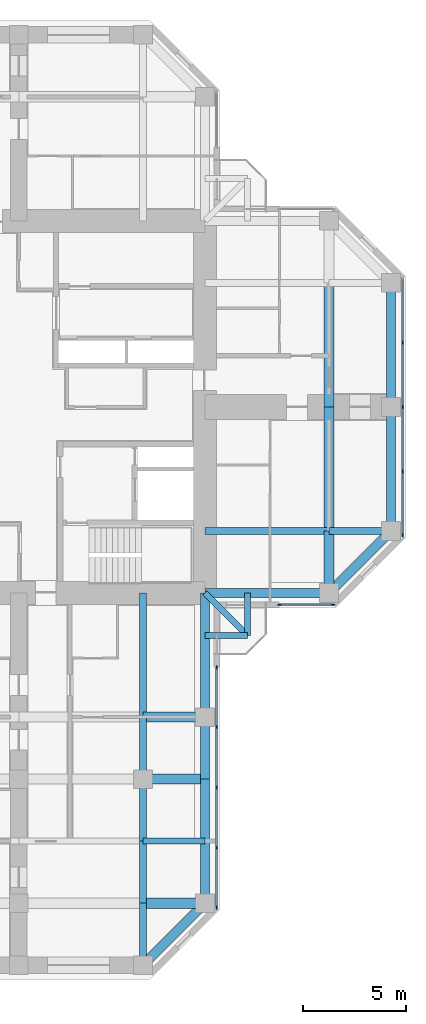
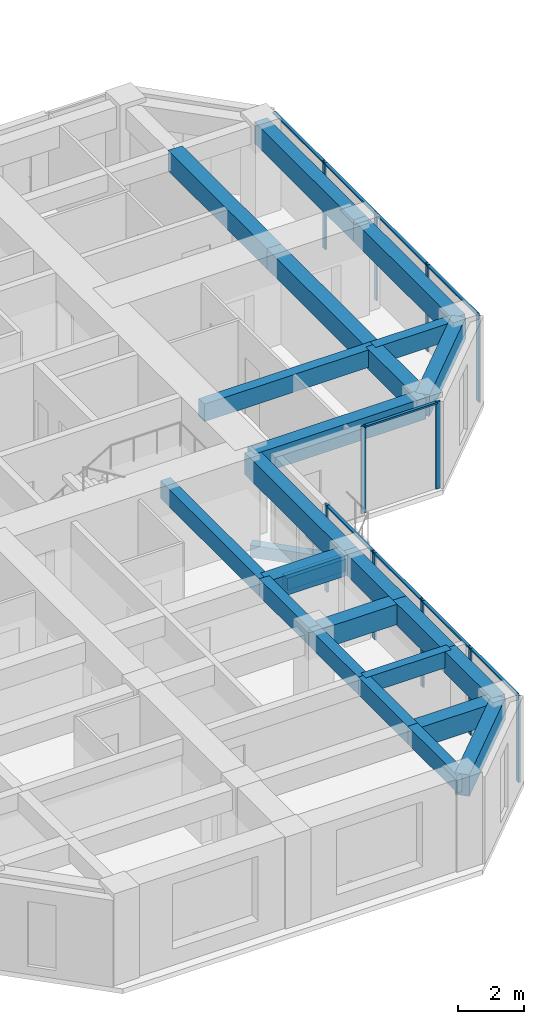
# One storey, part 4 of 14: 26 beams, 20 members, 3 elements without a shape of their own.
"""IFC4 building model written with IfcOpenShell, lengths in metres."""

import ifcopenshell
import ifcopenshell.guid

model = None  # the IFC model being written
_history = None  # IfcOwnerHistory: only IFC2X3 demands one
_inside = {}  # id of a spatial element -> (the spatial element, [elements in it])
_under = {}  # id of a project, library or spatial element -> (it, [spatial elements below it])
_declared = {}  # id of a project -> (the project, [libraries it declares])
_typed = {}  # id of a type object -> (the type object, [elements of that type])
_made_of = {}  # id of a material, layer set ... -> (it, [elements and type objects made of it])


def new_model(schema):
    """Start an empty IFC model of exactly this schema.

    Asked for "IFC4X3", IfcOpenShell would pick the latest addendum, in which some entities
    have other attributes; the version numbers below select the first issue.
    IFC2X3 requires an IfcOwnerHistory on every rooted entity: one is made here for all.
    """
    global model, _history
    if schema == "IFC4X3":
        model = ifcopenshell.file(schema_version=(4, 3, 0, 0))
    else:
        model = ifcopenshell.file(schema=schema)
    _inside.clear()
    _under.clear()
    _declared.clear()
    _typed.clear()
    _made_of.clear()
    _history = None
    if model.schema == "IFC2X3":
        org = make("IfcOrganization", Name="unknown")
        user = make(
            "IfcPersonAndOrganization",
            ThePerson=make("IfcPerson", FamilyName="unknown"),
            TheOrganization=org,
        )
        app = make(
            "IfcApplication",
            ApplicationDeveloper=org,
            Version="unknown",
            ApplicationFullName="unknown",
            ApplicationIdentifier="unknown",
        )
        _history = make(
            "IfcOwnerHistory",
            OwningUser=user,
            OwningApplication=app,
            ChangeAction="ADDED",
            CreationDate=0,
        )
    return model


def make(cls, **values):
    """One entity of the class cls with the attributes given. An attribute that is None is left unset."""
    return model.create_entity(
        cls, **{name: value for name, value in values.items() if value is not None}
    )


def rooted(cls, **values):
    """An entity with a GlobalId (a new one), such as an element, a storey or a relation."""
    return make(cls, GlobalId=ifcopenshell.guid.new(), OwnerHistory=_history, **values)


def si_unit(unit_type, name, prefix=None):
    """IfcSIUnit, for example si_unit("LENGTHUNIT", "METRE", prefix="MILLI")."""
    return make("IfcSIUnit", UnitType=unit_type, Prefix=prefix, Name=name)


def assignment(units):
    """IfcUnitAssignment: the units of a project."""
    return None if units is None else make("IfcUnitAssignment", Units=units)


def point(xyz):
    """IfcCartesianPoint."""
    return None if xyz is None else make("IfcCartesianPoint", Coordinates=xyz)


def direction(xyz):
    """IfcDirection."""
    return None if xyz is None else make("IfcDirection", DirectionRatios=xyz)


def frame(location, z_axis=None, x_axis=None):
    """IfcAxis2Placement3D, a coordinate frame: its origin and axes. An axis left out is left unset."""
    return make(
        "IfcAxis2Placement3D",
        Location=point(location),
        Axis=direction(z_axis),
        RefDirection=direction(x_axis),
    )


def frame_2d(location, x_axis=None):
    """IfcAxis2Placement2D, a coordinate frame in the plane: its origin and x axis."""
    return make(
        "IfcAxis2Placement2D", Location=point(location), RefDirection=direction(x_axis)
    )


def origin():
    """The frame at (0, 0, 0) with its axes left unset."""
    return frame((0.0, 0.0, 0.0))


def origin_2d():
    """The frame at (0, 0) in the plane with its x axis left unset."""
    return frame_2d((0.0, 0.0))


def place(relative_to, where):
    """IfcLocalPlacement: puts the frame where relative to a parent placement (None: the world)."""
    return make(
        "IfcLocalPlacement", PlacementRelTo=relative_to, RelativePlacement=where
    )


def context(
    kind, dimensions, precision=None, world=None, true_north=None, identifier=None
):
    """IfcGeometricRepresentationContext, for example the 3D "Model" context."""
    return make(
        "IfcGeometricRepresentationContext",
        ContextIdentifier=identifier,
        ContextType=kind,
        CoordinateSpaceDimension=dimensions,
        Precision=precision,
        WorldCoordinateSystem=world,
        TrueNorth=true_north,
    )


def subcontext(parent, identifier, kind, view, scale=None):
    """IfcGeometricRepresentationSubContext, for example "Body" below "Model"."""
    return make(
        "IfcGeometricRepresentationSubContext",
        ContextIdentifier=identifier,
        ContextType=kind,
        ParentContext=parent,
        TargetScale=scale,
        TargetView=view,
    )


def project(units=None, contexts=None):
    """IfcProject with its units and contexts."""
    return rooted(
        "IfcProject",
        Name="project",
        RepresentationContexts=contexts,
        UnitsInContext=assignment(units),
    )


def spatial(cls, under=None, at=None, **own):
    """A site, building, storey or space (cls), placed at a placement, below another one or the project."""
    s = rooted(cls, ObjectPlacement=at, **own)
    if under is not None:
        _under.setdefault(under.id(), (under, []))[1].append(s)
    return s


def profile(cls, at=None, kind="AREA", **sizes):
    """A parametric profile (cls). Its sizes go by their IFC names, for example OverallWidth=200.0."""
    return make(cls, ProfileType=kind, Position=at, **sizes)


def rectangle(**sizes):
    """IfcRectangleProfileDef."""
    return profile("IfcRectangleProfileDef", **sizes)


def extrude(swept, where, along, depth):
    """IfcExtrudedAreaSolid: the profile swept, set in the frame where, extruded along a direction by depth."""
    return make(
        "IfcExtrudedAreaSolid",
        SweptArea=swept,
        Position=where,
        ExtrudedDirection=direction(along),
        Depth=depth,
    )


def shape(context_of_items, identifier, shape_type, items):
    """IfcShapeRepresentation: the items that make up one representation, for example the "Body"."""
    return make(
        "IfcShapeRepresentation",
        ContextOfItems=context_of_items,
        RepresentationIdentifier=identifier,
        RepresentationType=shape_type,
        Items=items,
    )


def material(Name=None, Category=None):
    """IfcMaterial."""
    return make("IfcMaterial", Name=Name, Category=Category)


def material_profile(
    of_material, cross_section, Name=None, Category=None, Priority=None
):
    """IfcMaterialProfile: a cross section and its material."""
    return make(
        "IfcMaterialProfile",
        Name=Name,
        Material=of_material,
        Profile=cross_section,
        Priority=Priority,
        Category=Category,
    )


def profile_set(profiles, Name=None, composite=None):
    """IfcMaterialProfileSet."""
    return make(
        "IfcMaterialProfileSet",
        Name=Name,
        MaterialProfiles=profiles,
        CompositeProfile=composite,
    )


def made_of(thing, what):
    """Note that an element or type object is made of a material, layer set ...; save() writes the relation."""
    if what is not None:
        _made_of.setdefault(what.id(), (what, []))[1].append(thing)
    return thing


def type_object(cls, material=None, **own):
    """A type object (cls), such as IfcWallType, which elements share."""
    return made_of(rooted(cls, **own), material)


def element(
    cls,
    number,
    at=None,
    inside=None,
    cuts=None,
    type_object=None,
    material=None,
    context=None,
    identifier="Body",
    shape_type=None,
    held_by="IfcProductDefinitionShape",
    body=None,
    shapes=None,
    **own,
):
    """One element of the class cls, such as IfcWall. Its Tag is "e" and its number.

    at: its placement. inside: the storey or other place that contains it. cuts: it is an
    opening in that element (IfcRelVoidsElement). A single representation is given by context,
    identifier, shape_type and body (its items); several are given by shapes. held_by: the class
    of the entity that holds the representations. save() writes the other relations.
    """
    e = rooted(cls, Tag="e%d" % number, ObjectPlacement=at, **own)
    if body is not None:
        shapes = [shape(context, identifier, shape_type, body)]
    if shapes is not None:
        e.Representation = make(held_by, Representations=shapes)
    if inside is not None:
        _inside.setdefault(inside.id(), (inside, []))[1].append(e)
    if cuts is not None:
        rooted(
            "IfcRelVoidsElement", RelatingBuildingElement=cuts, RelatedOpeningElement=e
        )
    if type_object is not None:
        _typed.setdefault(type_object.id(), (type_object, []))[1].append(e)
    return made_of(e, material)


def aggregate(whole, parts):
    """IfcRelAggregates: a whole, such as a stair, and the parts it consists of."""
    return rooted("IfcRelAggregates", RelatingObject=whole, RelatedObjects=parts)


def save(model, path):
    """Write the relations noted so far, then the file.

    IfcRelAggregates (storeys below a building ...), IfcRelContainedInSpatialStructure (elements
    in a storey), IfcRelDefinesByType, IfcRelAssociatesMaterial and IfcRelDeclares: one each for
    every whole, place, type object, material and project.
    """
    for whole, parts in _under.values():
        aggregate(whole, parts)
    for where, things in _inside.values():
        rooted(
            "IfcRelContainedInSpatialStructure",
            RelatedElements=things,
            RelatingStructure=where,
        )
    for kind, things in _typed.values():
        rooted("IfcRelDefinesByType", RelatedObjects=things, RelatingType=kind)
    for what, things in _made_of.values():
        rooted("IfcRelAssociatesMaterial", RelatedObjects=things, RelatingMaterial=what)
    for by, libraries in _declared.values():
        rooted("IfcRelDeclares", RelatingContext=by, RelatedDefinitions=libraries)
    model.write(path)


model = new_model("IFC4")

# Units and contexts
model_context = context("Model", 3, precision=1e-05, world=origin(), true_north=direction((0.0, 1.0)))
body_context = subcontext(model_context, "Body", "Model", "MODEL_VIEW")
ifc_project = project(units=[si_unit("LENGTHUNIT", "METRE"), si_unit("AREAUNIT", "SQUARE_METRE"), si_unit("VOLUMEUNIT", "CUBIC_METRE"), si_unit("PLANEANGLEUNIT", "RADIAN"), si_unit("MASSUNIT", "GRAM", prefix="KILO")], contexts=[model_context])

# Site, building, storey
site_placement = place(None, origin())
site = spatial("IfcSite", under=ifc_project, at=site_placement, CompositionType="ELEMENT")
building_placement = place(site_placement, origin())
building = spatial("IfcBuilding", under=site, at=building_placement, Name="Torre Cruceta", CompositionType="ELEMENT")
storey_placement = place(building_placement, frame((0.0, 0.0, 179.699951171875)))
storey = spatial("IfcBuildingStorey", under=building, at=storey_placement, Name="L44", CompositionType="ELEMENT", Elevation=179.699951171875)

# Beams
ifc_material_1 = material(Name="Concrete G60 (fck 60 MPa)", Category="concrete")
ifc_material_profile_1 = material_profile(ifc_material_1, rectangle(XDim=0.300048828125, YDim=0.449951171875, at=origin_2d()), Name="RC 300X450")
ifc_profile_set_1 = profile_set([ifc_material_profile_1], Name="Concrete G60 (fck 60 MPa)")
beam_type_1 = type_object("IfcBeamType", Name="BALCONY CANTILEVER BEAM RC 300X450", PredefinedType="BEAM", material=ifc_profile_set_1)
beam_1_placement = place(storey_placement, frame((9.0, -9.0, -0.405029296875), z_axis=(0.707106781187, -0.707106781187, 0.0), x_axis=(0.707106781187, 0.707106781187, 0.0)))
element("IfcBeam", 1, at=beam_1_placement, inside=storey, type_object=beam_type_1, Name="BB1 balcony beam L44 S", PredefinedType="BEAM", context=body_context, shape_type="SweptSolid", body=[
    extrude(rectangle(XDim=0.300048828125, YDim=0.449951171875, at=origin_2d()), origin(), (0.0, 0.0, 1.0), 2.89990234375),
])
for number, where, z_axis, x_axis, name in (
    (2, (11.050537109375, -9.0, -0.405029296875), (0.0, -1.0, 0.0), (1.0, 0.0, 0.0), "BB1 balcony edge beam L44 S-X"),
    (3, (9.0, -11.050537109375, -0.405029296875), (1.0, 0.0, 0.0), (0.0, 1.0, 0.0), "BB1 balcony edge beam L44 S-Y"),
):
    element("IfcBeam", number, at=place(storey_placement, frame(where, z_axis=z_axis, x_axis=x_axis)), inside=storey, type_object=beam_type_1, Name=name, PredefinedType="BEAM", context=body_context, shape_type="SweptSolid", body=[
        extrude(rectangle(XDim=0.300048828125, YDim=0.449951171875, at=origin_2d()), origin(), (0.0, 0.0, 1.0), 2.050537109375),
    ])
ifc_material_2 = material(Name="Concrete G60 (fck 60 MPa)", Category="concrete")
ifc_material_profile_2 = material_profile(ifc_material_2, rectangle(XDim=0.35009765625, YDim=0.64990234375, at=origin_2d()), Name="RC 350X650")
ifc_profile_set_2 = profile_set([ifc_material_profile_2], Name="Concrete G60 (fck 60 MPa)")
beam_type_2 = type_object("IfcBeamType", Name="COLUMN LINE BEAM RC 350X650", PredefinedType="BEAM", material=ifc_profile_set_2)
beam_2_placement = place(storey_placement, frame((9.0, -6.0, 2.89501953125), z_axis=(1.0, 0.0, 0.0), x_axis=(0.0, 1.0, 0.0)))
element("IfcBeam", 4, at=beam_2_placement, inside=storey, type_object=beam_type_2, Name="LB7 L44 E col- 1", PredefinedType="BEAM", context=body_context, shape_type="SweptSolid", body=[
    extrude(rectangle(XDim=0.35009765625, YDim=0.64990234375, at=origin_2d()), origin(), (0.0, 0.0, 1.0), 6.0),
])
beam_3_placement = place(storey_placement, frame((15.0, -6.0, 2.89501953125), z_axis=(1.0, 0.0, 0.0), x_axis=(0.0, 1.0, 0.0)))
element("IfcBeam", 5, at=beam_3_placement, inside=storey, type_object=beam_type_2, Name="LB7 L44 E col- 2", PredefinedType="BEAM", context=body_context, shape_type="SweptSolid", body=[
    extrude(rectangle(XDim=0.35009765625, YDim=0.64990234375, at=origin_2d()), origin(), (0.0, 0.0, 1.0), 3.0),
])
beam_4_placement = place(storey_placement, frame((6.0, -9.0, 2.89501953125), z_axis=(0.0, -1.0, 0.0), x_axis=(1.0, 0.0, 0.0)))
element("IfcBeam", 6, at=beam_4_placement, inside=storey, type_object=beam_type_2, Name="LB7 L44 S col+ 1", PredefinedType="BEAM", context=body_context, shape_type="SweptSolid", body=[
    extrude(rectangle(XDim=0.35009765625, YDim=0.64990234375, at=origin_2d()), origin(), (0.0, 0.0, 1.0), 6.0),
])
for number, where, z_axis, x_axis, name in (
    (7, (6.0, -15.0, 2.89501953125), (0.0, -1.0, 0.0), (1.0, 0.0, 0.0), "LB7 L44 S col+ 2"),
    (8, (6.0, -18.0, 2.89501953125), (0.0, -1.0, 0.0), (1.0, 0.0, 0.0), "LB7 L44 S col+ 3"),
    (9, (6.0, -21.0, 2.89501953125), (0.0, -1.0, 0.0), (1.0, 0.0, 0.0), "LB7 L44 S col+ 4"),
    (10, (6.0, -24.0, 2.89501953125), (0.0, -1.0, 0.0), (1.0, 0.0, 0.0), "LB7 L44 S col+ 5"),
):
    element("IfcBeam", number, at=place(storey_placement, frame(where, z_axis=z_axis, x_axis=x_axis)), inside=storey, type_object=beam_type_2, Name=name, PredefinedType="BEAM", context=body_context, shape_type="SweptSolid", body=[
        extrude(rectangle(XDim=0.35009765625, YDim=0.64990234375, at=origin_2d()), origin(), (0.0, 0.0, 1.0), 3.0),
    ])
ifc_material_3 = material(Name="Concrete G60 (fck 60 MPa)", Category="concrete")
ifc_material_profile_3 = material_profile(ifc_material_3, rectangle(XDim=0.5, YDim=0.75, at=origin_2d()), Name="RC 500X750")
ifc_profile_set_3 = profile_set([ifc_material_profile_3], Name="Concrete G60 (fck 60 MPa)")
beam_type_3 = type_object("IfcBeamType", Name="CROSS BEAM RC 500X750", PredefinedType="BEAM", material=ifc_profile_set_3)
beam_5_placement = place(storey_placement, frame((15.0, -9.0, 2.844970703125), z_axis=(0.0, 1.0, 0.0), x_axis=(-1.0, 0.0, 0.0)))
element("IfcBeam", 11, at=beam_5_placement, inside=storey, type_object=beam_type_3, Name="GB6 L44 E cross15 1", PredefinedType="BEAM", context=body_context, shape_type="SweptSolid", body=[
    extrude(rectangle(XDim=0.5, YDim=0.75, at=origin_2d()), origin(), (0.0, 0.0, 1.0), 3.0),
])
for number, where, z_axis, x_axis, name in (
    (12, (15.0, -6.0, 2.844970703125), (0.0, 1.0, 0.0), (-1.0, 0.0, 0.0), "GB6 L44 E cross15 2"),
    (13, (15.0, 0.0, 2.844970703125), (0.0, 1.0, 0.0), (-1.0, 0.0, 0.0), "GB6 L44 E cross15 3"),
):
    element("IfcBeam", number, at=place(storey_placement, frame(where, z_axis=z_axis, x_axis=x_axis)), inside=storey, type_object=beam_type_3, Name=name, PredefinedType="BEAM", context=body_context, shape_type="SweptSolid", body=[
        extrude(rectangle(XDim=0.5, YDim=0.75, at=origin_2d()), origin(), (0.0, 0.0, 1.0), 6.0),
    ])
for number, where, z_axis, x_axis, name in (
    (14, (6.0, -15.0, 2.844970703125), (1.0, 0.0, 0.0), (0.0, 1.0, 0.0), "GB6 L44 S cross15 4"),
    (15, (6.0, -18.0, 2.844970703125), (1.0, 0.0, 0.0), (0.0, 1.0, 0.0), "GB6 L44 S cross18 4"),
    (16, (6.0, -24.0, 2.844970703125), (1.0, 0.0, 0.0), (0.0, 1.0, 0.0), "GB6 L44 S cross24 4"),
):
    element("IfcBeam", number, at=place(storey_placement, frame(where, z_axis=z_axis, x_axis=x_axis)), inside=storey, type_object=beam_type_3, Name=name, PredefinedType="BEAM", context=body_context, shape_type="SweptSolid", body=[
        extrude(rectangle(XDim=0.5, YDim=0.75, at=origin_2d()), origin(), (0.0, 0.0, 1.0), 3.0),
    ])

# Curtain wall, members
ifc_material_4 = material(Name="Aluminium unitised curtain wall", Category="aluminium")
curtain_wall_type = type_object("IfcCurtainWallType", Name="CURTAIN WALL CW-C CO-LIVING", PredefinedType="USERDEFINED", material=ifc_material_4)
curtain_wall_1_placement = place(storey_placement, origin())
curtain_wall_1 = element("IfcCurtainWall", 17, at=curtain_wall_1_placement, inside=storey, type_object=curtain_wall_type, Name="CW-C L44 E side 00", ObjectType="UNITISED", PredefinedType="USERDEFINED")
ifc_material_5 = material(Name="Aluminium mullion", Category="aluminium")
ifc_material_profile_4 = material_profile(ifc_material_5, rectangle(XDim=0.06005859375, YDim=0.159912109375, at=origin_2d()), Name="AL 60X160")
ifc_profile_set_4 = profile_set([ifc_material_profile_4], Name="Aluminium mullion")
member_type_1 = type_object("IfcMemberType", Name="CW-C MULLION 60X160", PredefinedType="MULLION", material=ifc_profile_set_4)
member_1_placement = place(storey_placement, frame((12.60009765625, -9.570068359375, 0.0), z_axis=(0.0, 0.0, 1.0), x_axis=(0.0, 1.0, 0.0)))
member_1 = element("IfcMember", 18, at=member_1_placement, type_object=member_type_1, Name="CW-C mullion 1", PredefinedType="MULLION", context=body_context, shape_type="SweptSolid", body=[
    extrude(rectangle(XDim=0.06005859375, YDim=0.159912109375, at=origin_2d()), origin(), (0.0, 0.0, 1.0), 3.219970703125),
])
member_2_placement = place(storey_placement, frame((15.2060546875, -9.570068359375, 0.0), z_axis=(0.0, 0.0, 1.0), x_axis=(0.0, 1.0, 0.0)))
member_2 = element("IfcMember", 19, at=member_2_placement, type_object=member_type_1, Name="CW-C mullion 2", PredefinedType="MULLION", context=body_context, shape_type="SweptSolid", body=[
    extrude(rectangle(XDim=0.06005859375, YDim=0.159912109375, at=origin_2d()), origin(), (0.0, 0.0, 1.0), 3.219970703125),
])

curtain_wall_2_placement = place(storey_placement, origin())
curtain_wall_2 = element("IfcCurtainWall", 20, at=curtain_wall_2_placement, inside=storey, type_object=curtain_wall_type, Name="CW-C L44 E tip 02", ObjectType="UNITISED", PredefinedType="USERDEFINED")
member_3_placement = place(storey_placement, frame((18.570068359375, -6.2060546875, 0.0), z_axis=(0.0, 0.0, 1.0), x_axis=(-1.0, 0.0, 0.0)))
member_3 = element("IfcMember", 21, at=member_3_placement, type_object=member_type_1, Name="CW-C mullion 1", PredefinedType="MULLION", context=body_context, shape_type="SweptSolid", body=[
    extrude(rectangle(XDim=0.06005859375, YDim=0.159912109375, at=origin_2d()), origin(), (0.0, 0.0, 1.0), 3.219970703125),
])
member_4_placement = place(storey_placement, frame((18.570068359375, -3.1181640625, 0.0), z_axis=(0.0, 0.0, 1.0), x_axis=(-1.0, 0.0, 0.0)))
member_4 = element("IfcMember", 22, at=member_4_placement, type_object=member_type_1, Name="CW-C mullion 2", PredefinedType="MULLION", context=body_context, shape_type="SweptSolid", body=[
    extrude(rectangle(XDim=0.06005859375, YDim=0.159912109375, at=origin_2d()), origin(), (0.0, 0.0, 1.0), 3.219970703125),
])
member_5_placement = place(storey_placement, frame((18.570068359375, 0.0, 0.0), z_axis=(0.0, 0.0, 1.0), x_axis=(-1.0, 0.0, 0.0)))
member_5 = element("IfcMember", 23, at=member_5_placement, type_object=member_type_1, Name="CW-C mullion 3", PredefinedType="MULLION", context=body_context, shape_type="SweptSolid", body=[
    extrude(rectangle(XDim=0.06005859375, YDim=0.159912109375, at=origin_2d()), origin(), (0.0, 0.0, 1.0), 3.219970703125),
])
member_6_placement = place(storey_placement, frame((18.570068359375, 3.1181640625, 0.0), z_axis=(0.0, 0.0, 1.0), x_axis=(-1.0, 0.0, 0.0)))
member_6 = element("IfcMember", 24, at=member_6_placement, type_object=member_type_1, Name="CW-C mullion 4", PredefinedType="MULLION", context=body_context, shape_type="SweptSolid", body=[
    extrude(rectangle(XDim=0.06005859375, YDim=0.159912109375, at=origin_2d()), origin(), (0.0, 0.0, 1.0), 3.219970703125),
])

curtain_wall_3_placement = place(storey_placement, origin())
curtain_wall_3 = element("IfcCurtainWall", 25, at=curtain_wall_3_placement, inside=storey, type_object=curtain_wall_type, Name="CW-C L44 S side 19", ObjectType="UNITISED", PredefinedType="USERDEFINED")
member_7_placement = place(storey_placement, frame((9.570068359375, -24.2060546875, 0.0), z_axis=(0.0, 0.0, 1.0), x_axis=(-1.0, 0.0, 0.0)))
member_7 = element("IfcMember", 26, at=member_7_placement, type_object=member_type_1, Name="CW-C mullion 1", PredefinedType="MULLION", context=body_context, shape_type="SweptSolid", body=[
    extrude(rectangle(XDim=0.06005859375, YDim=0.159912109375, at=origin_2d()), origin(), (0.0, 0.0, 1.0), 3.219970703125),
])
member_8_placement = place(storey_placement, frame((9.570068359375, -21.319580078125, 0.0), z_axis=(0.0, 0.0, 1.0), x_axis=(-1.0, 0.0, 0.0)))
member_8 = element("IfcMember", 27, at=member_8_placement, type_object=member_type_1, Name="CW-C mullion 2", PredefinedType="MULLION", context=body_context, shape_type="SweptSolid", body=[
    extrude(rectangle(XDim=0.06005859375, YDim=0.159912109375, at=origin_2d()), origin(), (0.0, 0.0, 1.0), 3.219970703125),
])
member_9_placement = place(storey_placement, frame((9.570068359375, -18.403076171875, 0.0), z_axis=(0.0, 0.0, 1.0), x_axis=(-1.0, 0.0, 0.0)))
member_9 = element("IfcMember", 28, at=member_9_placement, type_object=member_type_1, Name="CW-C mullion 3", PredefinedType="MULLION", context=body_context, shape_type="SweptSolid", body=[
    extrude(rectangle(XDim=0.06005859375, YDim=0.159912109375, at=origin_2d()), origin(), (0.0, 0.0, 1.0), 3.219970703125),
])
member_10_placement = place(storey_placement, frame((9.570068359375, -15.486572265625, 0.0), z_axis=(0.0, 0.0, 1.0), x_axis=(-1.0, 0.0, 0.0)))
member_10 = element("IfcMember", 29, at=member_10_placement, type_object=member_type_1, Name="CW-C mullion 4", PredefinedType="MULLION", context=body_context, shape_type="SweptSolid", body=[
    extrude(rectangle(XDim=0.06005859375, YDim=0.159912109375, at=origin_2d()), origin(), (0.0, 0.0, 1.0), 3.219970703125),
])
member_11_placement = place(storey_placement, frame((9.570068359375, -12.60009765625, 0.0), z_axis=(0.0, 0.0, 1.0), x_axis=(-1.0, 0.0, 0.0)))
member_11 = element("IfcMember", 30, at=member_11_placement, type_object=member_type_1, Name="CW-C mullion 5", PredefinedType="MULLION", context=body_context, shape_type="SweptSolid", body=[
    extrude(rectangle(XDim=0.06005859375, YDim=0.159912109375, at=origin_2d()), origin(), (0.0, 0.0, 1.0), 3.219970703125),
])

# Member
ifc_material_6 = material(Name="Aluminium transom", Category="aluminium")
ifc_material_profile_5 = material_profile(ifc_material_6, rectangle(XDim=0.10009765625, YDim=0.06005859375, at=origin_2d()), Name="AL 100X60")
ifc_profile_set_5 = profile_set([ifc_material_profile_5], Name="Aluminium transom")
member_type_2 = type_object("IfcMemberType", Name="CW-C TRANSOM 60X100", PredefinedType="USERDEFINED", material=ifc_profile_set_5)
member_12_placement = place(storey_placement, frame((12.6298828125, -9.570068359375, 3.18994140625), z_axis=(1.0, 0.0, 0.0), x_axis=(0.0, 1.0, 0.0)))
member_12 = element("IfcMember", 31, at=member_12_placement, type_object=member_type_2, Name="CW-C transom 1", ObjectType="TRANSOM", PredefinedType="USERDEFINED", context=body_context, shape_type="SweptSolid", body=[
    extrude(rectangle(XDim=0.10009765625, YDim=0.06005859375, at=origin_2d()), origin(), (0.0, 0.0, 1.0), 2.546142578125),
])

aggregate(curtain_wall_1, [member_1, member_2, member_12])

member_13_placement = place(storey_placement, frame((18.570068359375, -6.176025390625, 3.18994140625), z_axis=(0.0, 1.0, 0.0), x_axis=(-1.0, 0.0, 0.0)))
member_13 = element("IfcMember", 32, at=member_13_placement, type_object=member_type_2, Name="CW-C transom 1", ObjectType="TRANSOM", PredefinedType="USERDEFINED", context=body_context, shape_type="SweptSolid", body=[
    extrude(rectangle(XDim=0.10009765625, YDim=0.06005859375, at=origin_2d()), origin(), (0.0, 0.0, 1.0), 3.028076171875),
])

member_14_placement = place(storey_placement, frame((18.570068359375, -3.088134765625, 3.18994140625), z_axis=(0.0, 1.0, 0.0), x_axis=(-1.0, 0.0, 0.0)))
member_14 = element("IfcMember", 33, at=member_14_placement, type_object=member_type_2, Name="CW-C transom 2", ObjectType="TRANSOM", PredefinedType="USERDEFINED", context=body_context, shape_type="SweptSolid", body=[
    extrude(rectangle(XDim=0.10009765625, YDim=0.06005859375, at=origin_2d()), origin(), (0.0, 0.0, 1.0), 3.05810546875),
])

member_15_placement = place(storey_placement, frame((18.570068359375, 0.030029296875, 3.18994140625), z_axis=(0.0, 1.0, 0.0), x_axis=(-1.0, 0.0, 0.0)))
member_15 = element("IfcMember", 34, at=member_15_placement, type_object=member_type_2, Name="CW-C transom 3", ObjectType="TRANSOM", PredefinedType="USERDEFINED", context=body_context, shape_type="SweptSolid", body=[
    extrude(rectangle(XDim=0.10009765625, YDim=0.06005859375, at=origin_2d()), origin(), (0.0, 0.0, 1.0), 3.05810546875),
])

member_16_placement = place(storey_placement, frame((18.570068359375, 3.14794921875, 3.18994140625), z_axis=(0.0, 1.0, 0.0), x_axis=(-1.0, 0.0, 0.0)))
member_16 = element("IfcMember", 35, at=member_16_placement, type_object=member_type_2, Name="CW-C transom 4", ObjectType="TRANSOM", PredefinedType="USERDEFINED", context=body_context, shape_type="SweptSolid", body=[
    extrude(rectangle(XDim=0.10009765625, YDim=0.06005859375, at=origin_2d()), origin(), (0.0, 0.0, 1.0), 3.028076171875),
])

aggregate(curtain_wall_2, [member_3, member_4, member_5, member_6, member_13, member_14, member_15, member_16])

member_17_placement = place(storey_placement, frame((9.570068359375, -24.176025390625, 3.18994140625), z_axis=(0.0, 1.0, 0.0), x_axis=(-1.0, 0.0, 0.0)))
member_17 = element("IfcMember", 36, at=member_17_placement, type_object=member_type_2, Name="CW-C transom 1", ObjectType="TRANSOM", PredefinedType="USERDEFINED", context=body_context, shape_type="SweptSolid", body=[
    extrude(rectangle(XDim=0.10009765625, YDim=0.06005859375, at=origin_2d()), origin(), (0.0, 0.0, 1.0), 2.826416015625),
])

member_18_placement = place(storey_placement, frame((9.570068359375, -21.28955078125, 3.18994140625), z_axis=(0.0, 1.0, 0.0), x_axis=(-1.0, 0.0, 0.0)))
member_18 = element("IfcMember", 37, at=member_18_placement, type_object=member_type_2, Name="CW-C transom 2", ObjectType="TRANSOM", PredefinedType="USERDEFINED", context=body_context, shape_type="SweptSolid", body=[
    extrude(rectangle(XDim=0.10009765625, YDim=0.06005859375, at=origin_2d()), origin(), (0.0, 0.0, 1.0), 2.8564453125),
])

member_19_placement = place(storey_placement, frame((9.570068359375, -18.373046875, 3.18994140625), z_axis=(0.0, 1.0, 0.0), x_axis=(-1.0, 0.0, 0.0)))
member_19 = element("IfcMember", 38, at=member_19_placement, type_object=member_type_2, Name="CW-C transom 3", ObjectType="TRANSOM", PredefinedType="USERDEFINED", context=body_context, shape_type="SweptSolid", body=[
    extrude(rectangle(XDim=0.10009765625, YDim=0.06005859375, at=origin_2d()), origin(), (0.0, 0.0, 1.0), 2.8564453125),
])

member_20_placement = place(storey_placement, frame((9.570068359375, -15.45654296875, 3.18994140625), z_axis=(0.0, 1.0, 0.0), x_axis=(-1.0, 0.0, 0.0)))
member_20 = element("IfcMember", 39, at=member_20_placement, type_object=member_type_2, Name="CW-C transom 4", ObjectType="TRANSOM", PredefinedType="USERDEFINED", context=body_context, shape_type="SweptSolid", body=[
    extrude(rectangle(XDim=0.10009765625, YDim=0.06005859375, at=origin_2d()), origin(), (0.0, 0.0, 1.0), 2.82666015625),
])

aggregate(curtain_wall_3, [member_7, member_8, member_9, member_10, member_11, member_17, member_18, member_19, member_20])

# Beams
ifc_material_7 = material(Name="Concrete G60 (fck 60 MPa)", Category="concrete")
ifc_material_profile_6 = material_profile(ifc_material_7, rectangle(XDim=0.300048828125, YDim=0.60009765625, at=origin_2d()), Name="RC 300X600")
ifc_profile_set_6 = profile_set([ifc_material_profile_6], Name="Concrete G60 (fck 60 MPa)")
beam_type_4 = type_object("IfcBeamType", Name="SECONDARY BEAM RC 300X600", PredefinedType="JOIST", material=ifc_profile_set_6)
beam_6_placement = place(storey_placement, frame((6.0, -21.0, 2.920166015625), z_axis=(1.0, 0.0, 0.0), x_axis=(0.0, 1.0, 0.0)))
element("IfcBeam", 40, at=beam_6_placement, inside=storey, type_object=beam_type_4, Name="JB6 L44 S sec21 4", PredefinedType="JOIST", context=body_context, shape_type="SweptSolid", body=[
    extrude(rectangle(XDim=0.300048828125, YDim=0.60009765625, at=origin_2d()), origin(), (0.0, 0.0, 1.0), 3.0),
])
ifc_material_8 = material(Name="Concrete G60 (fck 60 MPa)", Category="concrete")
ifc_material_profile_7 = material_profile(ifc_material_8, rectangle(XDim=0.449951171875, YDim=0.800048828125, at=origin_2d()), Name="RC 450X800")
ifc_profile_set_7 = profile_set([ifc_material_profile_7], Name="Concrete G60 (fck 60 MPa)")
beam_type_5 = type_object("IfcBeamType", Name="SPANDREL BEAM RC 450X800", PredefinedType="SPANDREL", material=ifc_profile_set_7)
beam_7_placement = place(storey_placement, frame((9.0, -9.0, 2.820068359375), z_axis=(1.0, 0.0, 0.0), x_axis=(0.0, 1.0, 0.0)))
element("IfcBeam", 41, at=beam_7_placement, inside=storey, type_object=beam_type_5, Name="SB6 L44 E side- 1", PredefinedType="SPANDREL", context=body_context, shape_type="SweptSolid", body=[
    extrude(rectangle(XDim=0.449951171875, YDim=0.800048828125, at=origin_2d()), origin(), (0.0, 0.0, 1.0), 6.0),
])
beam_8_placement = place(storey_placement, frame((15.0, -9.0, 2.820068359375), z_axis=(0.707106781187, 0.707106781187, 0.0), x_axis=(-0.707106781187, 0.707106781187, 0.0)))
element("IfcBeam", 42, at=beam_8_placement, inside=storey, type_object=beam_type_5, Name="SB6 L44 E side- 2", PredefinedType="SPANDREL", context=body_context, shape_type="SweptSolid", body=[
    extrude(rectangle(XDim=0.449951171875, YDim=0.800048828125, at=origin_2d()), origin(), (0.0, 0.0, 1.0), 4.24267578125),
])
for number, where, z_axis, x_axis, name in (
    (43, (18.0, -6.0, 2.820068359375), (0.0, 1.0, 0.0), (-1.0, 0.0, 0.0), "SB6 L44 E tip 1"),
    (44, (18.0, 0.0, 2.820068359375), (0.0, 1.0, 0.0), (-1.0, 0.0, 0.0), "SB6 L44 E tip 2"),
    (45, (9.0, -9.0, 2.820068359375), (0.0, -1.0, 0.0), (1.0, 0.0, 0.0), "SB6 L44 S side+ 1"),
):
    element("IfcBeam", number, at=place(storey_placement, frame(where, z_axis=z_axis, x_axis=x_axis)), inside=storey, type_object=beam_type_5, Name=name, PredefinedType="SPANDREL", context=body_context, shape_type="SweptSolid", body=[
        extrude(rectangle(XDim=0.449951171875, YDim=0.800048828125, at=origin_2d()), origin(), (0.0, 0.0, 1.0), 6.0),
    ])
for number, where, z_axis, x_axis, name in (
    (46, (9.0, -15.0, 2.820068359375), (0.0, -1.0, 0.0), (1.0, 0.0, 0.0), "SB6 L44 S side+ 2"),
    (47, (9.0, -18.0, 2.820068359375), (0.0, -1.0, 0.0), (1.0, 0.0, 0.0), "SB6 L44 S side+ 3"),
    (48, (9.0, -21.0, 2.820068359375), (0.0, -1.0, 0.0), (1.0, 0.0, 0.0), "SB6 L44 S side+ 4"),
):
    element("IfcBeam", number, at=place(storey_placement, frame(where, z_axis=z_axis, x_axis=x_axis)), inside=storey, type_object=beam_type_5, Name=name, PredefinedType="SPANDREL", context=body_context, shape_type="SweptSolid", body=[
        extrude(rectangle(XDim=0.449951171875, YDim=0.800048828125, at=origin_2d()), origin(), (0.0, 0.0, 1.0), 3.0),
    ])
beam_9_placement = place(storey_placement, frame((9.0, -24.0, 2.820068359375), z_axis=(-0.707106781187, -0.707106781187, 0.0), x_axis=(0.707106781187, -0.707106781187, 0.0)))
element("IfcBeam", 49, at=beam_9_placement, inside=storey, type_object=beam_type_5, Name="SB6 L44 S side+ 5", PredefinedType="SPANDREL", context=body_context, shape_type="SweptSolid", body=[
    extrude(rectangle(XDim=0.449951171875, YDim=0.800048828125, at=origin_2d()), origin(), (0.0, 0.0, 1.0), 4.24267578125),
])

save(model, "model.ifc")
